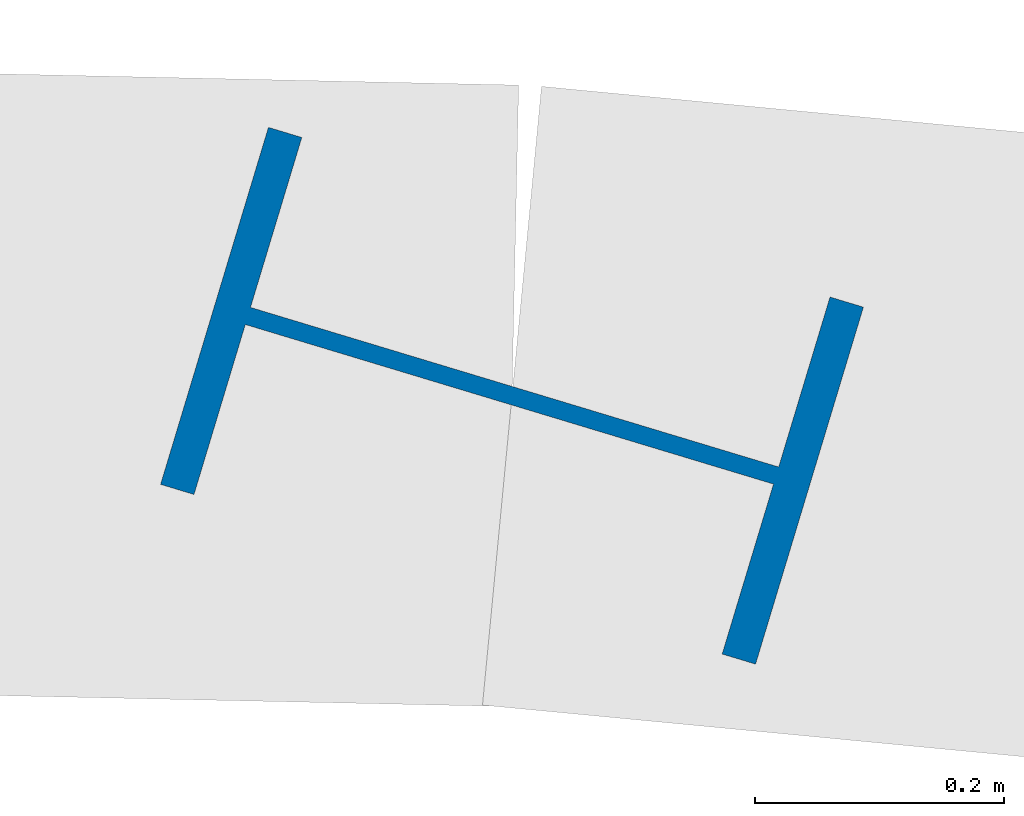
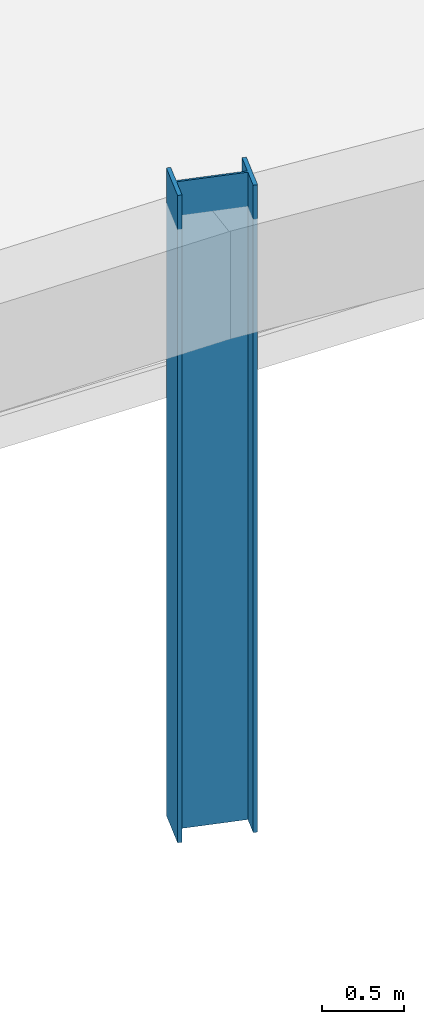
# One storey, part 12 of 45: 1 column.
"""IFC4 building model written with IfcOpenShell, lengths in metres."""

from ifc_helpers import new_model, si_unit, direction, frame, origin, origin_2d, place, context, subcontext, project, spatial, i_section, extrude, material, material_profile, profile_set, type_object, element, save


model = new_model("IFC4")

# Units and contexts
model_context = context("Model", 3, precision=1e-05, world=origin(), true_north=direction((0.0, 1.0)))
body_context = subcontext(model_context, "Body", "Model", "MODEL_VIEW")
ifc_project = project(units=[si_unit("LENGTHUNIT", "METRE"), si_unit("AREAUNIT", "SQUARE_METRE"), si_unit("VOLUMEUNIT", "CUBIC_METRE"), si_unit("PLANEANGLEUNIT", "RADIAN"), si_unit("MASSUNIT", "GRAM", prefix="KILO")], contexts=[model_context])

# Site, building, storey
site_placement = place(None, origin())
site = spatial("IfcSite", under=ifc_project, at=site_placement, CompositionType="ELEMENT")
building_placement = place(site_placement, origin())
building = spatial("IfcBuilding", under=site, at=building_placement, Name="Mphavela Belvedere Stadium", CompositionType="ELEMENT")
storey_placement = place(building_placement, frame((0.0, 0.0, 24.0)))
storey = spatial("IfcBuildingStorey", under=building, at=storey_placement, Name="L05", CompositionType="ELEMENT", Elevation=24.0)

# Column
ifc_material = material(Name="Steel S355", Category="steel")
ifc_material_profile = material_profile(ifc_material, i_section(OverallWidth=0.300048828125, OverallDepth=0.5, WebThickness=0.014404296875, FlangeThickness=0.028076171875, at=origin_2d()), Name="HEB 500")
ifc_profile_set = profile_set([ifc_material_profile], Name="Steel S355")
column_type = type_object("IfcColumnType", Name="COL-STEEL-HEB500", PredefinedType="COLUMN", material=ifc_profile_set)
column_placement = place(storey_placement, frame((137.114501953125, 160.19384765625, 0.0), z_axis=(0.0, 0.0, 1.0), x_axis=(0.289198876314, 0.957269037387, 0.0)))
element("IfcColumn", 1, at=column_placement, inside=storey, type_object=column_type, Name="Outer colonnade column L05 R4-12", PredefinedType="COLUMN", context=body_context, shape_type="SweptSolid", body=[
    extrude(i_section(OverallWidth=0.300048828125, OverallDepth=0.5, WebThickness=0.014404296875, FlangeThickness=0.028076171875, at=origin_2d()), origin(), (0.0, 0.0, 1.0), 4.800048828125),
])

save(model, "model.ifc")
